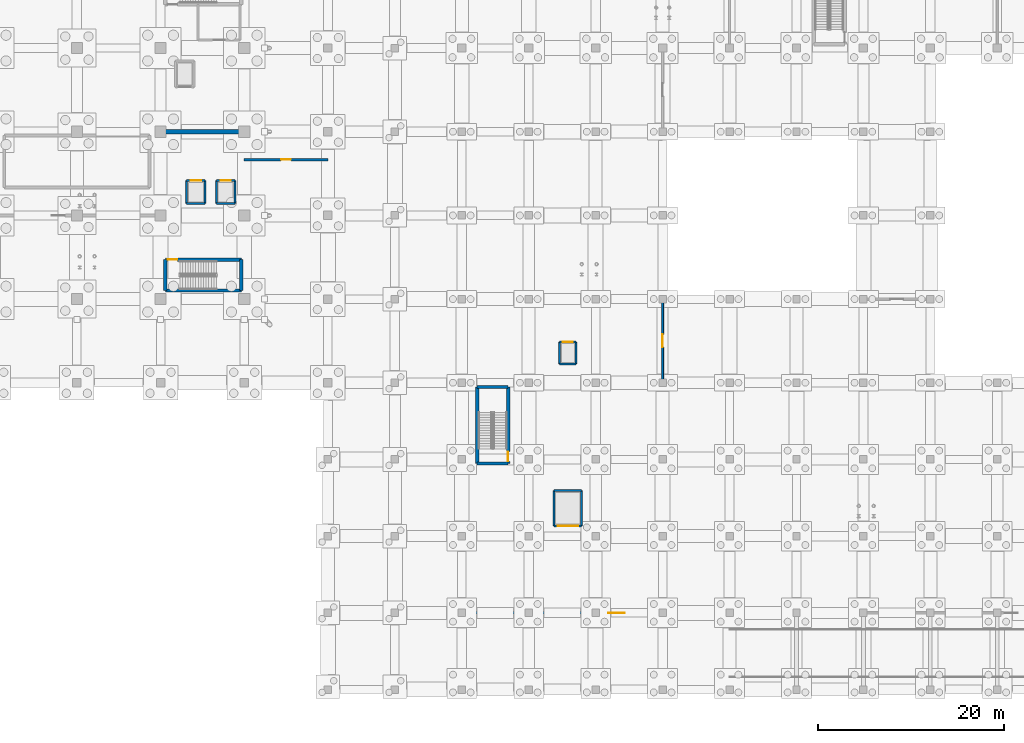
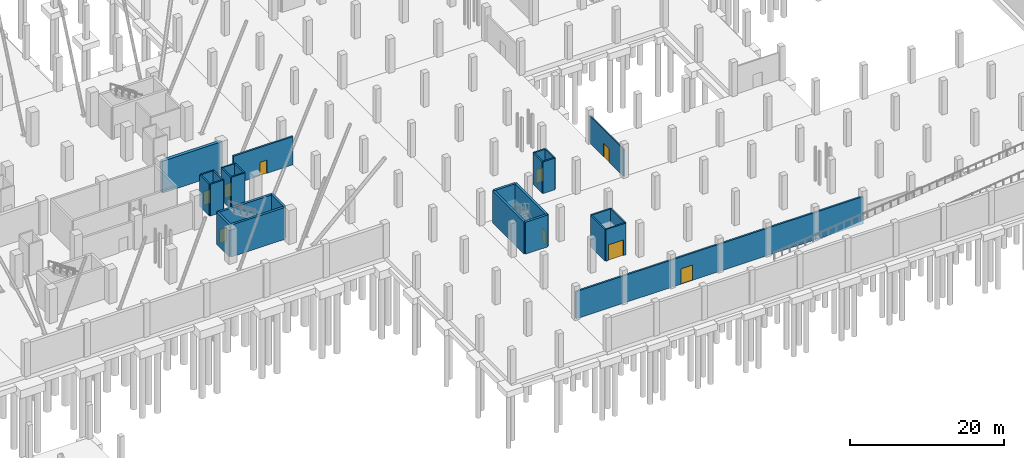
# One storey, part 26 of 42: 28 walls, 9 doors, 9 openings.
"""IFC4 building model written with IfcOpenShell, lengths in metres."""

import ifcopenshell
import ifcopenshell.guid

model = None  # the IFC model being written
_history = None  # IfcOwnerHistory: only IFC2X3 demands one
_inside = {}  # id of a spatial element -> (the spatial element, [elements in it])
_under = {}  # id of a project, library or spatial element -> (it, [spatial elements below it])
_declared = {}  # id of a project -> (the project, [libraries it declares])
_typed = {}  # id of a type object -> (the type object, [elements of that type])
_made_of = {}  # id of a material, layer set ... -> (it, [elements and type objects made of it])


def new_model(schema):
    """Start an empty IFC model of exactly this schema.

    Asked for "IFC4X3", IfcOpenShell would pick the latest addendum, in which some entities
    have other attributes; the version numbers below select the first issue.
    IFC2X3 requires an IfcOwnerHistory on every rooted entity: one is made here for all.
    """
    global model, _history
    if schema == "IFC4X3":
        model = ifcopenshell.file(schema_version=(4, 3, 0, 0))
    else:
        model = ifcopenshell.file(schema=schema)
    _inside.clear()
    _under.clear()
    _declared.clear()
    _typed.clear()
    _made_of.clear()
    _history = None
    if model.schema == "IFC2X3":
        org = make("IfcOrganization", Name="unknown")
        user = make(
            "IfcPersonAndOrganization",
            ThePerson=make("IfcPerson", FamilyName="unknown"),
            TheOrganization=org,
        )
        app = make(
            "IfcApplication",
            ApplicationDeveloper=org,
            Version="unknown",
            ApplicationFullName="unknown",
            ApplicationIdentifier="unknown",
        )
        _history = make(
            "IfcOwnerHistory",
            OwningUser=user,
            OwningApplication=app,
            ChangeAction="ADDED",
            CreationDate=0,
        )
    return model


def make(cls, **values):
    """One entity of the class cls with the attributes given. An attribute that is None is left unset."""
    return model.create_entity(
        cls, **{name: value for name, value in values.items() if value is not None}
    )


def rooted(cls, **values):
    """An entity with a GlobalId (a new one), such as an element, a storey or a relation."""
    return make(cls, GlobalId=ifcopenshell.guid.new(), OwnerHistory=_history, **values)


def si_unit(unit_type, name, prefix=None):
    """IfcSIUnit, for example si_unit("LENGTHUNIT", "METRE", prefix="MILLI")."""
    return make("IfcSIUnit", UnitType=unit_type, Prefix=prefix, Name=name)


def assignment(units):
    """IfcUnitAssignment: the units of a project."""
    return None if units is None else make("IfcUnitAssignment", Units=units)


def point(xyz):
    """IfcCartesianPoint."""
    return None if xyz is None else make("IfcCartesianPoint", Coordinates=xyz)


def direction(xyz):
    """IfcDirection."""
    return None if xyz is None else make("IfcDirection", DirectionRatios=xyz)


def frame(location, z_axis=None, x_axis=None):
    """IfcAxis2Placement3D, a coordinate frame: its origin and axes. An axis left out is left unset."""
    return make(
        "IfcAxis2Placement3D",
        Location=point(location),
        Axis=direction(z_axis),
        RefDirection=direction(x_axis),
    )


def frame_2d(location, x_axis=None):
    """IfcAxis2Placement2D, a coordinate frame in the plane: its origin and x axis."""
    return make(
        "IfcAxis2Placement2D", Location=point(location), RefDirection=direction(x_axis)
    )


def origin():
    """The frame at (0, 0, 0) with its axes left unset."""
    return frame((0.0, 0.0, 0.0))


def place(relative_to, where):
    """IfcLocalPlacement: puts the frame where relative to a parent placement (None: the world)."""
    return make(
        "IfcLocalPlacement", PlacementRelTo=relative_to, RelativePlacement=where
    )


def context(
    kind, dimensions, precision=None, world=None, true_north=None, identifier=None
):
    """IfcGeometricRepresentationContext, for example the 3D "Model" context."""
    return make(
        "IfcGeometricRepresentationContext",
        ContextIdentifier=identifier,
        ContextType=kind,
        CoordinateSpaceDimension=dimensions,
        Precision=precision,
        WorldCoordinateSystem=world,
        TrueNorth=true_north,
    )


def subcontext(parent, identifier, kind, view, scale=None):
    """IfcGeometricRepresentationSubContext, for example "Body" below "Model"."""
    return make(
        "IfcGeometricRepresentationSubContext",
        ContextIdentifier=identifier,
        ContextType=kind,
        ParentContext=parent,
        TargetScale=scale,
        TargetView=view,
    )


def project(units=None, contexts=None):
    """IfcProject with its units and contexts."""
    return rooted(
        "IfcProject",
        Name="project",
        RepresentationContexts=contexts,
        UnitsInContext=assignment(units),
    )


def spatial(cls, under=None, at=None, **own):
    """A site, building, storey or space (cls), placed at a placement, below another one or the project."""
    s = rooted(cls, ObjectPlacement=at, **own)
    if under is not None:
        _under.setdefault(under.id(), (under, []))[1].append(s)
    return s


def profile(cls, at=None, kind="AREA", **sizes):
    """A parametric profile (cls). Its sizes go by their IFC names, for example OverallWidth=200.0."""
    return make(cls, ProfileType=kind, Position=at, **sizes)


def rectangle(**sizes):
    """IfcRectangleProfileDef."""
    return profile("IfcRectangleProfileDef", **sizes)


def extrude(swept, where, along, depth):
    """IfcExtrudedAreaSolid: the profile swept, set in the frame where, extruded along a direction by depth."""
    return make(
        "IfcExtrudedAreaSolid",
        SweptArea=swept,
        Position=where,
        ExtrudedDirection=direction(along),
        Depth=depth,
    )


def shape(context_of_items, identifier, shape_type, items):
    """IfcShapeRepresentation: the items that make up one representation, for example the "Body"."""
    return make(
        "IfcShapeRepresentation",
        ContextOfItems=context_of_items,
        RepresentationIdentifier=identifier,
        RepresentationType=shape_type,
        Items=items,
    )


def material(Name=None, Category=None):
    """IfcMaterial."""
    return make("IfcMaterial", Name=Name, Category=Category)


def layer(
    of_material, thickness, ventilated=None, Name=None, Category=None, Priority=None
):
    """IfcMaterialLayer: one layer of a wall or slab, of a material (None: an air gap)."""
    return make(
        "IfcMaterialLayer",
        Material=of_material,
        LayerThickness=thickness,
        IsVentilated=ventilated,
        Name=Name,
        Category=Category,
        Priority=Priority,
    )


def layer_set(layers, Name=None):
    """IfcMaterialLayerSet."""
    return make("IfcMaterialLayerSet", MaterialLayers=layers, LayerSetName=Name)


def made_of(thing, what):
    """Note that an element or type object is made of a material, layer set ...; save() writes the relation."""
    if what is not None:
        _made_of.setdefault(what.id(), (what, []))[1].append(thing)
    return thing


def type_object(cls, material=None, **own):
    """A type object (cls), such as IfcWallType, which elements share."""
    return made_of(rooted(cls, **own), material)


def element(
    cls,
    number,
    at=None,
    inside=None,
    cuts=None,
    type_object=None,
    material=None,
    context=None,
    identifier="Body",
    shape_type=None,
    held_by="IfcProductDefinitionShape",
    body=None,
    shapes=None,
    **own,
):
    """One element of the class cls, such as IfcWall. Its Tag is "e" and its number.

    at: its placement. inside: the storey or other place that contains it. cuts: it is an
    opening in that element (IfcRelVoidsElement). A single representation is given by context,
    identifier, shape_type and body (its items); several are given by shapes. held_by: the class
    of the entity that holds the representations. save() writes the other relations.
    """
    e = rooted(cls, Tag="e%d" % number, ObjectPlacement=at, **own)
    if body is not None:
        shapes = [shape(context, identifier, shape_type, body)]
    if shapes is not None:
        e.Representation = make(held_by, Representations=shapes)
    if inside is not None:
        _inside.setdefault(inside.id(), (inside, []))[1].append(e)
    if cuts is not None:
        rooted(
            "IfcRelVoidsElement", RelatingBuildingElement=cuts, RelatedOpeningElement=e
        )
    if type_object is not None:
        _typed.setdefault(type_object.id(), (type_object, []))[1].append(e)
    return made_of(e, material)


def fill(opening, filler):
    """IfcRelFillsElement: the door or window that sits in an opening."""
    return rooted(
        "IfcRelFillsElement",
        RelatingOpeningElement=opening,
        RelatedBuildingElement=filler,
    )


def aggregate(whole, parts):
    """IfcRelAggregates: a whole, such as a stair, and the parts it consists of."""
    return rooted("IfcRelAggregates", RelatingObject=whole, RelatedObjects=parts)


def save(model, path):
    """Write the relations noted so far, then the file.

    IfcRelAggregates (storeys below a building ...), IfcRelContainedInSpatialStructure (elements
    in a storey), IfcRelDefinesByType, IfcRelAssociatesMaterial and IfcRelDeclares: one each for
    every whole, place, type object, material and project.
    """
    for whole, parts in _under.values():
        aggregate(whole, parts)
    for where, things in _inside.values():
        rooted(
            "IfcRelContainedInSpatialStructure",
            RelatedElements=things,
            RelatingStructure=where,
        )
    for kind, things in _typed.values():
        rooted("IfcRelDefinesByType", RelatedObjects=things, RelatingType=kind)
    for what, things in _made_of.values():
        rooted("IfcRelAssociatesMaterial", RelatedObjects=things, RelatingMaterial=what)
    for by, libraries in _declared.values():
        rooted("IfcRelDeclares", RelatingContext=by, RelatedDefinitions=libraries)
    model.write(path)


model = new_model("IFC4")

# Units and contexts
model_context = context("Model", 3, precision=1e-05, world=origin(), true_north=direction((0.0, 1.0)))
body_context = subcontext(model_context, "Body", "Model", "MODEL_VIEW")
ifc_project = project(units=[si_unit("LENGTHUNIT", "METRE"), si_unit("AREAUNIT", "SQUARE_METRE"), si_unit("VOLUMEUNIT", "CUBIC_METRE"), si_unit("PLANEANGLEUNIT", "RADIAN"), si_unit("MASSUNIT", "GRAM", prefix="KILO")], contexts=[model_context])

# Site, building, storey
site_placement = place(None, origin())
site = spatial("IfcSite", under=ifc_project, at=site_placement, CompositionType="ELEMENT")
building_placement = place(site_placement, origin())
building = spatial("IfcBuilding", under=site, at=building_placement, Name="Sundgate Opera House", CompositionType="ELEMENT")
storey_placement = place(building_placement, frame((0.0, 0.0, -5.39990234375)))
storey = spatial("IfcBuildingStorey", under=building, at=storey_placement, Name="B01", CompositionType="ELEMENT", Elevation=-5.39990234375)

# Wall
ifc_material_1 = material(Name="Concrete C40/50", Category="concrete")
ifc_layer_1 = layer(ifc_material_1, 0.35009765625)
ifc_layer_set_1 = layer_set([ifc_layer_1], Name="Concrete C40/50")
wall_type_1 = type_object("IfcWallType", Name="WL-CORE-350", PredefinedType="SHEAR", material=ifc_layer_set_1)
wall_1_placement = place(storey_placement, frame((63.510009765625, 42.909912109375, 0.0), z_axis=(0.0, 0.0, 1.0), x_axis=(1.0, 0.0, 0.0)))
element("IfcWall", 1, at=wall_1_placement, inside=storey, type_object=wall_type_1, Name="B01 C3 South Shaft Wall", PredefinedType="SHEAR", context=body_context, shape_type="SweptSolid", body=[
    extrude(rectangle(XDim=8.179931640625, YDim=0.35009765625, at=frame_2d((4.08984375, 0.0))), origin(), (0.0, 0.0, 1.0), 5.079833984375),
])

# Wall, opening, door
wall_2_placement = place(storey_placement, frame((63.510009765625, 46.239990234375, 0.0), z_axis=(0.0, 0.0, 1.0), x_axis=(1.0, 0.0, 0.0)))
wall_2 = element("IfcWall", 2, at=wall_2_placement, inside=storey, type_object=wall_type_1, Name="B01 C3 North Shaft Wall", PredefinedType="SHEAR", context=body_context, shape_type="SweptSolid", body=[
    extrude(rectangle(XDim=8.179931640625, YDim=0.35009765625, at=frame_2d((4.08984375, 0.0))), origin(), (0.0, 0.0, 1.0), 5.079833984375),
])
opening_1_placement = place(wall_2_placement, frame((0.239990234375, 0.0, 0.0)))
opening_1 = element("IfcOpeningElement", 3, at=opening_1_placement, cuts=wall_2, Name="Opening DI01", PredefinedType="OPENING", context=body_context, shape_type="SweptSolid", body=[
    extrude(rectangle(XDim=1.050048828125, YDim=2.179931640625, at=frame_2d((0.52490234375, 1.08984375))), frame((0.0, 0.18505859375, 0.0), z_axis=(0.0, -1.0, 0.0), x_axis=(1.0, 0.0, 0.0)), (0.0, 0.0, 1.0), 0.3701171875),
])
ifc_material_2 = material(Name="Acoustic hardwood timber and steel core", Category="steel")
door_type_1 = type_object("IfcDoorType", Name="DR-STAIR-1050x2180", OperationType="NOTDEFINED", PredefinedType="DOOR", material=ifc_material_2)
door_1_placement = place(opening_1_placement, origin())
door_1 = element("IfcDoor", 4, at=door_1_placement, inside=storey, type_object=door_type_1, Name="B01 C3 Stair Door D0048", OperationType="SINGLE_SWING_RIGHT", OverallHeight=2.179931640625, OverallWidth=1.050048828125, PredefinedType="DOOR", context=body_context, shape_type="SweptSolid", body=[
    extrude(rectangle(XDim=1.050048828125, YDim=2.179931640625, at=frame_2d((0.52490234375, 1.08984375))), frame((0.0, 0.02490234375, 0.0), z_axis=(0.0, -1.0, 0.0), x_axis=(1.0, 0.0, 0.0)), (0.0, 0.0, 1.0), 0.050048828125),
])
fill(opening_1, door_1)

# Walls
for number, where, z_axis, x_axis, name in (
    (5, (63.510009765625, 42.909912109375, 0.0), (0.0, 0.0, 1.0), (0.0, 1.0, 0.0), "B01 C3 West Shaft Wall"),
    (6, (71.68994140625, 42.909912109375, 0.0), (0.0, 0.0, 1.0), (0.0, 1.0, 0.0), "B01 C3 East Shaft Wall"),
):
    element("IfcWall", number, at=place(storey_placement, frame(where, z_axis=z_axis, x_axis=x_axis)), inside=storey, type_object=wall_type_1, Name=name, PredefinedType="SHEAR", context=body_context, shape_type="SweptSolid", body=[
        extrude(rectangle(XDim=3.330078125, YDim=0.35009765625, at=frame_2d((1.6650390625, 0.0))), origin(), (0.0, 0.0, 1.0), 5.079833984375),
    ])
for number, where, z_axis, x_axis, name in (
    (7, (97.06005859375, 24.31005859375, 0.0), (0.0, 0.0, 1.0), (1.0, 0.0, 0.0), "B01 C7 South Shaft Wall"),
    (8, (97.06005859375, 32.5400390625, 0.0), (0.0, 0.0, 1.0), (1.0, 0.0, 0.0), "B01 C7 North Shaft Wall"),
):
    element("IfcWall", number, at=place(storey_placement, frame(where, z_axis=z_axis, x_axis=x_axis)), inside=storey, type_object=wall_type_1, Name=name, PredefinedType="SHEAR", context=body_context, shape_type="SweptSolid", body=[
        extrude(rectangle(XDim=3.329833984375, YDim=0.35009765625, at=frame_2d((1.6650390625, 0.0))), origin(), (0.0, 0.0, 1.0), 5.079833984375),
    ])
wall_3_placement = place(storey_placement, frame((97.06005859375, 24.31005859375, 0.0), z_axis=(0.0, 0.0, 1.0), x_axis=(0.0, 1.0, 0.0)))
element("IfcWall", 9, at=wall_3_placement, inside=storey, type_object=wall_type_1, Name="B01 C7 West Shaft Wall", PredefinedType="SHEAR", context=body_context, shape_type="SweptSolid", body=[
    extrude(rectangle(XDim=8.22998046875, YDim=0.35009765625, at=frame_2d((4.114990234375, 0.0))), origin(), (0.0, 0.0, 1.0), 5.079833984375),
])

# Wall, opening, door
wall_4_placement = place(storey_placement, frame((100.389892578125, 24.31005859375, 0.0), z_axis=(0.0, 0.0, 1.0), x_axis=(0.0, 1.0, 0.0)))
wall_4 = element("IfcWall", 10, at=wall_4_placement, inside=storey, type_object=wall_type_1, Name="B01 C7 East Shaft Wall", PredefinedType="SHEAR", context=body_context, shape_type="SweptSolid", body=[
    extrude(rectangle(XDim=8.22998046875, YDim=0.35009765625, at=frame_2d((4.114990234375, 0.0))), origin(), (0.0, 0.0, 1.0), 5.079833984375),
])
opening_2_placement = place(wall_4_placement, frame((0.239990234375, 0.0, 0.0)))
opening_2 = element("IfcOpeningElement", 11, at=opening_2_placement, cuts=wall_4, Name="Opening DI01", PredefinedType="OPENING", context=body_context, shape_type="SweptSolid", body=[
    extrude(rectangle(XDim=1.050048828125, YDim=2.179931640625, at=frame_2d((0.52490234375, 1.08984375))), frame((0.0, 0.18505859375, 0.0), z_axis=(0.0, -1.0, 0.0), x_axis=(1.0, 0.0, 0.0)), (0.0, 0.0, 1.0), 0.3701171875),
])
door_2_placement = place(opening_2_placement, origin())
door_2 = element("IfcDoor", 12, at=door_2_placement, inside=storey, type_object=door_type_1, Name="B01 C7 Stair Door D0083", OperationType="SINGLE_SWING_LEFT", OverallHeight=2.179931640625, OverallWidth=1.050048828125, PredefinedType="DOOR", context=body_context, shape_type="SweptSolid", body=[
    extrude(rectangle(XDim=1.050048828125, YDim=2.179931640625, at=frame_2d((0.52490234375, 1.08984375))), frame((0.0, 0.02490234375, 0.0), z_axis=(0.0, -1.0, 0.0), x_axis=(1.0, 0.0, 0.0)), (0.0, 0.0, 1.0), 0.050048828125),
])
fill(opening_2, door_2)

ifc_material_3 = material(Name="Acoustic masonry partition wall", Category="masonry")
ifc_layer_2 = layer(ifc_material_3, 0.260009765625)
ifc_layer_set_2 = layer_set([ifc_layer_2], Name="Acoustic masonry partition wall")
wall_type_2 = type_object("IfcWallType", Name="WL-INT-ACOUST-260", PredefinedType="PARTITIONING", material=ifc_layer_set_2)
wall_5_placement = place(storey_placement, frame((72.0, 57.0, 0.0), z_axis=(0.0, 0.0, 1.0), x_axis=(1.0, 0.0, 0.0)))
wall_5 = element("IfcWall", 13, at=wall_5_placement, inside=storey, type_object=wall_type_2, Name="B01 Interior Partition W0973", PredefinedType="PARTITIONING", context=body_context, shape_type="SweptSolid", body=[
    extrude(rectangle(XDim=9.0, YDim=0.260009765625, at=frame_2d((4.5, 0.0))), origin(), (0.0, 0.0, 1.0), 4.494873046875),
])
opening_3_placement = place(wall_5_placement, frame((3.97509765625, 0.0, 0.0)))
opening_3 = element("IfcOpeningElement", 14, at=opening_3_placement, cuts=wall_5, Name="Opening DI08", PredefinedType="OPENING", context=body_context, shape_type="SweptSolid", body=[
    extrude(rectangle(XDim=1.050048828125, YDim=2.1201171875, at=frame_2d((0.52490234375, 1.06005859375))), frame((0.0, 0.139892578125, 0.0), z_axis=(0.0, -1.0, 0.0), x_axis=(1.0, 0.0, 0.0)), (0.0, 0.0, 1.0), 0.280029296875),
])
ifc_material_4 = material(Name="Acoustic hardwood timber and steel core", Category="steel")
door_type_2 = type_object("IfcDoorType", Name="DR-ROOM-1050x2120", OperationType="NOTDEFINED", PredefinedType="DOOR", material=ifc_material_4)
door_3_placement = place(opening_3_placement, origin())
door_3 = element("IfcDoor", 15, at=door_3_placement, inside=storey, type_object=door_type_2, Name="B01 Interior Door D0161", OperationType="SINGLE_SWING_RIGHT", OverallHeight=2.1201171875, OverallWidth=1.050048828125, PredefinedType="DOOR", context=body_context, shape_type="SweptSolid", body=[
    extrude(rectangle(XDim=1.050048828125, YDim=2.1201171875, at=frame_2d((0.52490234375, 1.06005859375))), frame((0.0, 0.02490234375, 0.0), z_axis=(0.0, -1.0, 0.0), x_axis=(1.0, 0.0, 0.0)), (0.0, 0.0, 1.0), 0.050048828125),
])
fill(opening_3, door_3)

wall_6_placement = place(storey_placement, frame((95.39990234375, 8.25, 0.0), z_axis=(0.0, 0.0, 1.0), x_axis=(1.0, 0.0, 0.0)))
wall_6 = element("IfcWall", 16, at=wall_6_placement, inside=storey, type_object=wall_type_2, Name="B01 Interior Partition W0977", PredefinedType="PARTITIONING", context=body_context, shape_type="SweptSolid", body=[
    extrude(rectangle(XDim=43.2001953125, YDim=0.260009765625, at=frame_2d((21.60009765625, 0.0))), origin(), (0.0, 0.0, 1.0), 4.344970703125),
])
opening_4_placement = place(wall_6_placement, frame((15.73193359375, 0.0, 0.0)))
opening_4 = element("IfcOpeningElement", 17, at=opening_4_placement, cuts=wall_6, Name="Opening DI15", PredefinedType="OPENING", context=body_context, shape_type="SweptSolid", body=[
    extrude(rectangle(XDim=1.800048828125, YDim=2.449951171875, at=frame_2d((0.89990234375, 1.22509765625))), frame((0.0, 0.139892578125, 0.0), z_axis=(0.0, -1.0, 0.0), x_axis=(1.0, 0.0, 0.0)), (0.0, 0.0, 1.0), 0.280029296875),
])
ifc_material_5 = material(Name="Acoustic hardwood timber and steel core", Category="steel")
door_type_3 = type_object("IfcDoorType", Name="DR-WORK-1800x2450", OperationType="DOUBLE_DOOR_SINGLE_SWING", PredefinedType="DOOR", material=ifc_material_5)
door_4_placement = place(opening_4_placement, origin())
door_4 = element("IfcDoor", 18, at=door_4_placement, inside=storey, type_object=door_type_3, Name="B01 Interior Door D0165", OperationType="DOUBLE_DOOR_SINGLE_SWING", OverallHeight=2.449951171875, OverallWidth=1.800048828125, PredefinedType="DOOR", context=body_context, shape_type="SweptSolid", body=[
    extrude(rectangle(XDim=1.800048828125, YDim=2.449951171875, at=frame_2d((0.89990234375, 1.22509765625))), frame((0.0, 0.02490234375, 0.0), z_axis=(0.0, -1.0, 0.0), x_axis=(1.0, 0.0, 0.0)), (0.0, 0.0, 1.0), 0.050048828125),
])
fill(opening_4, door_4)

ifc_material_6 = material(Name="Fire-rated corridor partition", Category="gypsum")
ifc_layer_3 = layer(ifc_material_6, 0.199951171875)
ifc_layer_set_3 = layer_set([ifc_layer_3], Name="Fire-rated corridor partition")
wall_type_3 = type_object("IfcWallType", Name="WL-INT-FIRE-200", PredefinedType="PARTITIONING", material=ifc_layer_set_3)
wall_7_placement = place(storey_placement, frame((117.0, 33.0, 0.0), z_axis=(0.0, 0.0, 1.0), x_axis=(0.0, 1.0, 0.0)))
wall_7 = element("IfcWall", 19, at=wall_7_placement, inside=storey, type_object=wall_type_3, Name="B01 Interior Partition W0974", PredefinedType="PARTITIONING", context=body_context, shape_type="SweptSolid", body=[
    extrude(rectangle(XDim=9.0, YDim=0.199951171875, at=frame_2d((4.5, 0.0))), origin(), (0.0, 0.0, 1.0), 4.344970703125),
])
opening_5_placement = place(wall_7_placement, frame((3.800048828125, 0.0, 0.0)))
opening_5 = element("IfcOpeningElement", 20, at=opening_5_placement, cuts=wall_7, Name="Opening DI09", PredefinedType="OPENING", context=body_context, shape_type="SweptSolid", body=[
    extrude(rectangle(XDim=1.39990234375, YDim=2.179931640625, at=frame_2d((0.699951171875, 1.08984375))), frame((0.0, 0.10986328125, 0.0), z_axis=(0.0, -1.0, 0.0), x_axis=(1.0, 0.0, 0.0)), (0.0, 0.0, 1.0), 0.219970703125),
])
ifc_material_7 = material(Name="Acoustic hardwood timber and steel core", Category="steel")
door_type_4 = type_object("IfcDoorType", Name="DR-PLANT-1400x2180", OperationType="DOUBLE_DOOR_SINGLE_SWING", PredefinedType="DOOR", material=ifc_material_7)
door_5_placement = place(opening_5_placement, origin())
door_5 = element("IfcDoor", 21, at=door_5_placement, inside=storey, type_object=door_type_4, Name="B01 Interior Door D0162", OperationType="DOUBLE_DOOR_SINGLE_SWING", OverallHeight=2.179931640625, OverallWidth=1.39990234375, PredefinedType="DOOR", context=body_context, shape_type="SweptSolid", body=[
    extrude(rectangle(XDim=1.39990234375, YDim=2.179931640625, at=frame_2d((0.699951171875, 1.08984375))), frame((0.0, 0.02490234375, 0.0), z_axis=(0.0, -1.0, 0.0), x_axis=(1.0, 0.0, 0.0)), (0.0, 0.0, 1.0), 0.050048828125),
])
fill(opening_5, door_5)

# Wall
ifc_material_8 = material(Name="Fire-rated gypsum and mineral-wool shaft partition", Category="gypsum")
ifc_layer_4 = layer(ifc_material_8, 0.219970703125)
ifc_layer_set_4 = layer_set([ifc_layer_4], Name="Fire-rated gypsum and mineral-wool shaft partition")
wall_type_4 = type_object("IfcWallType", Name="WL-INT-FIRE-220", PredefinedType="PARTITIONING", material=ifc_layer_set_4)
wall_8_placement = place(storey_placement, frame((65.81005859375, 52.260009765625, 0.0), z_axis=(0.0, 0.0, 1.0), x_axis=(1.0, 0.0, 0.0)))
element("IfcWall", 22, at=wall_8_placement, inside=storey, type_object=wall_type_4, Name="B01 LF-01 South Shaft Wall", PredefinedType="PARTITIONING", context=body_context, shape_type="SweptSolid", body=[
    extrude(rectangle(XDim=1.97998046875, YDim=0.219970703125, at=frame_2d((0.989990234375, 0.0))), origin(), (0.0, 0.0, 1.0), 5.044921875),
])

# Wall, opening, door
wall_9_placement = place(storey_placement, frame((65.81005859375, 54.739990234375, 0.0), z_axis=(0.0, 0.0, 1.0), x_axis=(1.0, 0.0, 0.0)))
wall_9 = element("IfcWall", 23, at=wall_9_placement, inside=storey, type_object=wall_type_4, Name="B01 LF-01 North Shaft Wall", PredefinedType="PARTITIONING", context=body_context, shape_type="SweptSolid", body=[
    extrude(rectangle(XDim=1.97998046875, YDim=0.219970703125, at=frame_2d((0.989990234375, 0.0))), origin(), (0.0, 0.0, 1.0), 5.044921875),
])
opening_6_placement = place(wall_9_placement, frame((0.43994140625, 0.0, 0.0)))
opening_6 = element("IfcOpeningElement", 24, at=opening_6_placement, cuts=wall_9, Name="Opening LD1", PredefinedType="OPENING", context=body_context, shape_type="SweptSolid", body=[
    extrude(rectangle(XDim=1.10009765625, YDim=2.179931640625, at=frame_2d((0.550048828125, 1.08984375))), frame((0.0, 0.119873046875, 0.0), z_axis=(0.0, -1.0, 0.0), x_axis=(1.0, 0.0, 0.0)), (0.0, 0.0, 1.0), 0.239990234375),
])
ifc_material_9 = material(Name="Brushed stainless steel EN 1.4301", Category="steel")
door_type_5 = type_object("IfcDoorType", Name="DR-LIFT-1100x2180", OperationType="DOUBLE_DOOR_SLIDING", PredefinedType="DOOR", material=ifc_material_9)
door_6_placement = place(opening_6_placement, origin())
door_6 = element("IfcDoor", 25, at=door_6_placement, inside=storey, type_object=door_type_5, Name="B01 LF-01 Landing Door D0092", OperationType="DOUBLE_DOOR_SLIDING", OverallHeight=2.179931640625, OverallWidth=1.10009765625, PredefinedType="DOOR", context=body_context, shape_type="SweptSolid", body=[
    extrude(rectangle(XDim=1.10009765625, YDim=2.179931640625, at=frame_2d((0.550048828125, 1.08984375))), frame((0.0, 0.02490234375, 0.0), z_axis=(0.0, -1.0, 0.0), x_axis=(1.0, 0.0, 0.0)), (0.0, 0.0, 1.0), 0.050048828125),
])
fill(opening_6, door_6)

# Walls
for number, where, z_axis, x_axis, name in (
    (26, (65.81005859375, 52.260009765625, 0.0), (0.0, 0.0, 1.0), (0.0, 1.0, 0.0), "B01 LF-01 West Shaft Wall"),
    (27, (67.7900390625, 52.260009765625, 0.0), (0.0, 0.0, 1.0), (0.0, 1.0, 0.0), "B01 LF-01 East Shaft Wall"),
):
    element("IfcWall", number, at=place(storey_placement, frame(where, z_axis=z_axis, x_axis=x_axis)), inside=storey, type_object=wall_type_4, Name=name, PredefinedType="PARTITIONING", context=body_context, shape_type="SweptSolid", body=[
        extrude(rectangle(XDim=2.47998046875, YDim=0.219970703125, at=frame_2d((1.239990234375, 0.0))), origin(), (0.0, 0.0, 1.0), 5.044921875),
    ])
wall_10_placement = place(storey_placement, frame((69.010009765625, 52.260009765625, 0.0), z_axis=(0.0, 0.0, 1.0), x_axis=(1.0, 0.0, 0.0)))
element("IfcWall", 28, at=wall_10_placement, inside=storey, type_object=wall_type_4, Name="B01 LF-02 South Shaft Wall", PredefinedType="PARTITIONING", context=body_context, shape_type="SweptSolid", body=[
    extrude(rectangle(XDim=1.97998046875, YDim=0.219970703125, at=frame_2d((0.989990234375, 0.0))), origin(), (0.0, 0.0, 1.0), 5.044921875),
])

# Wall, opening, door
wall_11_placement = place(storey_placement, frame((69.010009765625, 54.739990234375, 0.0), z_axis=(0.0, 0.0, 1.0), x_axis=(1.0, 0.0, 0.0)))
wall_11 = element("IfcWall", 29, at=wall_11_placement, inside=storey, type_object=wall_type_4, Name="B01 LF-02 North Shaft Wall", PredefinedType="PARTITIONING", context=body_context, shape_type="SweptSolid", body=[
    extrude(rectangle(XDim=1.97998046875, YDim=0.219970703125, at=frame_2d((0.989990234375, 0.0))), origin(), (0.0, 0.0, 1.0), 5.044921875),
])
opening_7_placement = place(wall_11_placement, frame((0.43994140625, 0.0, 0.0)))
opening_7 = element("IfcOpeningElement", 30, at=opening_7_placement, cuts=wall_11, Name="Opening LD1", PredefinedType="OPENING", context=body_context, shape_type="SweptSolid", body=[
    extrude(rectangle(XDim=1.10009765625, YDim=2.179931640625, at=frame_2d((0.550048828125, 1.08984375))), frame((0.0, 0.119873046875, 0.0), z_axis=(0.0, -1.0, 0.0), x_axis=(1.0, 0.0, 0.0)), (0.0, 0.0, 1.0), 0.239990234375),
])
door_7_placement = place(opening_7_placement, origin())
door_7 = element("IfcDoor", 31, at=door_7_placement, inside=storey, type_object=door_type_5, Name="B01 LF-02 Landing Door D0099", OperationType="DOUBLE_DOOR_SLIDING", OverallHeight=2.179931640625, OverallWidth=1.10009765625, PredefinedType="DOOR", context=body_context, shape_type="SweptSolid", body=[
    extrude(rectangle(XDim=1.10009765625, YDim=2.179931640625, at=frame_2d((0.550048828125, 1.08984375))), frame((0.0, 0.02490234375, 0.0), z_axis=(0.0, -1.0, 0.0), x_axis=(1.0, 0.0, 0.0)), (0.0, 0.0, 1.0), 0.050048828125),
])
fill(opening_7, door_7)

# Walls
for number, where, z_axis, x_axis, name in (
    (32, (69.010009765625, 52.260009765625, 0.0), (0.0, 0.0, 1.0), (0.0, 1.0, 0.0), "B01 LF-02 West Shaft Wall"),
    (33, (70.989990234375, 52.260009765625, 0.0), (0.0, 0.0, 1.0), (0.0, 1.0, 0.0), "B01 LF-02 East Shaft Wall"),
):
    element("IfcWall", number, at=place(storey_placement, frame(where, z_axis=z_axis, x_axis=x_axis)), inside=storey, type_object=wall_type_4, Name=name, PredefinedType="PARTITIONING", context=body_context, shape_type="SweptSolid", body=[
        extrude(rectangle(XDim=2.47998046875, YDim=0.219970703125, at=frame_2d((1.239990234375, 0.0))), origin(), (0.0, 0.0, 1.0), 5.044921875),
    ])
wall_12_placement = place(storey_placement, frame((105.909912109375, 35.010009765625, 0.0), z_axis=(0.0, 0.0, 1.0), x_axis=(1.0, 0.0, 0.0)))
element("IfcWall", 34, at=wall_12_placement, inside=storey, type_object=wall_type_4, Name="B01 LF-05 South Shaft Wall", PredefinedType="PARTITIONING", context=body_context, shape_type="SweptSolid", body=[
    extrude(rectangle(XDim=1.780029296875, YDim=0.219970703125, at=frame_2d((0.89013671875, 0.0))), origin(), (0.0, 0.0, 1.0), 5.044921875),
])

# Wall, opening, door
wall_13_placement = place(storey_placement, frame((105.909912109375, 37.389892578125, 0.0), z_axis=(0.0, 0.0, 1.0), x_axis=(1.0, 0.0, 0.0)))
wall_13 = element("IfcWall", 35, at=wall_13_placement, inside=storey, type_object=wall_type_4, Name="B01 LF-05 North Shaft Wall", PredefinedType="PARTITIONING", context=body_context, shape_type="SweptSolid", body=[
    extrude(rectangle(XDim=1.780029296875, YDim=0.219970703125, at=frame_2d((0.89013671875, 0.0))), origin(), (0.0, 0.0, 1.0), 5.044921875),
])
opening_8_placement = place(wall_13_placement, frame((0.340087890625, 0.0, 0.0)))
opening_8 = element("IfcOpeningElement", 36, at=opening_8_placement, cuts=wall_13, Name="Opening LD1", PredefinedType="OPENING", context=body_context, shape_type="SweptSolid", body=[
    extrude(rectangle(XDim=1.10009765625, YDim=2.179931640625, at=frame_2d((0.550048828125, 1.08984375))), frame((0.0, 0.119873046875, 0.0), z_axis=(0.0, -1.0, 0.0), x_axis=(1.0, 0.0, 0.0)), (0.0, 0.0, 1.0), 0.239990234375),
])
door_8_placement = place(opening_8_placement, origin())
door_8 = element("IfcDoor", 37, at=door_8_placement, inside=storey, type_object=door_type_5, Name="B01 LF-05 Landing Door D0119", OperationType="DOUBLE_DOOR_SLIDING", OverallHeight=2.179931640625, OverallWidth=1.10009765625, PredefinedType="DOOR", context=body_context, shape_type="SweptSolid", body=[
    extrude(rectangle(XDim=1.10009765625, YDim=2.179931640625, at=frame_2d((0.550048828125, 1.08984375))), frame((0.0, 0.02490234375, 0.0), z_axis=(0.0, -1.0, 0.0), x_axis=(1.0, 0.0, 0.0)), (0.0, 0.0, 1.0), 0.050048828125),
])
fill(opening_8, door_8)

# Walls
for number, where, z_axis, x_axis, name in (
    (38, (105.909912109375, 35.010009765625, 0.0), (0.0, 0.0, 1.0), (0.0, 1.0, 0.0), "B01 LF-05 West Shaft Wall"),
    (39, (107.68994140625, 35.010009765625, 0.0), (0.0, 0.0, 1.0), (0.0, 1.0, 0.0), "B01 LF-05 East Shaft Wall"),
):
    element("IfcWall", number, at=place(storey_placement, frame(where, z_axis=z_axis, x_axis=x_axis)), inside=storey, type_object=wall_type_4, Name=name, PredefinedType="PARTITIONING", context=body_context, shape_type="SweptSolid", body=[
        extrude(rectangle(XDim=2.3798828125, YDim=0.219970703125, at=frame_2d((1.18994140625, 0.0))), origin(), (0.0, 0.0, 1.0), 5.044921875),
    ])

# Wall, opening, door
wall_14_placement = place(storey_placement, frame((105.31005859375, 17.610107421875, 0.0), z_axis=(0.0, 0.0, 1.0), x_axis=(1.0, 0.0, 0.0)))
wall_14 = element("IfcWall", 40, at=wall_14_placement, inside=storey, type_object=wall_type_4, Name="B01 GL-02 South Shaft Wall", PredefinedType="PARTITIONING", context=body_context, shape_type="SweptSolid", body=[
    extrude(rectangle(XDim=2.97998046875, YDim=0.219970703125, at=frame_2d((1.489990234375, 0.0))), origin(), (0.0, 0.0, 1.0), 5.044921875),
])
opening_9_placement = place(wall_14_placement, frame((0.389892578125, 0.0, 0.0)))
opening_9 = element("IfcOpeningElement", 41, at=opening_9_placement, cuts=wall_14, Name="Opening LD3", PredefinedType="OPENING", context=body_context, shape_type="SweptSolid", body=[
    extrude(rectangle(XDim=2.199951171875, YDim=2.5, at=frame_2d((1.10009765625, 1.25))), frame((0.0, 0.119873046875, 0.0), z_axis=(0.0, -1.0, 0.0), x_axis=(1.0, 0.0, 0.0)), (0.0, 0.0, 1.0), 0.239990234375),
])
ifc_material_10 = material(Name="Brushed stainless steel EN 1.4301", Category="steel")
door_type_6 = type_object("IfcDoorType", Name="DR-LIFT-2200x2500", OperationType="DOUBLE_DOOR_SLIDING", PredefinedType="DOOR", material=ifc_material_10)
door_9_placement = place(opening_9_placement, origin())
door_9 = element("IfcDoor", 42, at=door_9_placement, inside=storey, type_object=door_type_6, Name="B01 GL-02 Landing Door D0149", OperationType="DOUBLE_DOOR_SLIDING", OverallHeight=2.5, OverallWidth=2.199951171875, PredefinedType="DOOR", context=body_context, shape_type="SweptSolid", body=[
    extrude(rectangle(XDim=2.199951171875, YDim=2.5, at=frame_2d((1.10009765625, 1.25))), frame((0.0, 0.02490234375, 0.0), z_axis=(0.0, -1.0, 0.0), x_axis=(1.0, 0.0, 0.0)), (0.0, 0.0, 1.0), 0.050048828125),
])
fill(opening_9, door_9)

# Walls
wall_15_placement = place(storey_placement, frame((105.31005859375, 21.389892578125, 0.0), z_axis=(0.0, 0.0, 1.0), x_axis=(1.0, 0.0, 0.0)))
element("IfcWall", 43, at=wall_15_placement, inside=storey, type_object=wall_type_4, Name="B01 GL-02 North Shaft Wall", PredefinedType="PARTITIONING", context=body_context, shape_type="SweptSolid", body=[
    extrude(rectangle(XDim=2.97998046875, YDim=0.219970703125, at=frame_2d((1.489990234375, 0.0))), origin(), (0.0, 0.0, 1.0), 5.044921875),
])
for number, where, z_axis, x_axis, name in (
    (44, (105.31005859375, 17.610107421875, 0.0), (0.0, 0.0, 1.0), (0.0, 1.0, 0.0), "B01 GL-02 West Shaft Wall"),
    (45, (108.2900390625, 17.610107421875, 0.0), (0.0, 0.0, 1.0), (0.0, 1.0, 0.0), "B01 GL-02 East Shaft Wall"),
):
    element("IfcWall", number, at=place(storey_placement, frame(where, z_axis=z_axis, x_axis=x_axis)), inside=storey, type_object=wall_type_4, Name=name, PredefinedType="PARTITIONING", context=body_context, shape_type="SweptSolid", body=[
        extrude(rectangle(XDim=3.77978515625, YDim=0.219970703125, at=frame_2d((1.889892578125, 0.0))), origin(), (0.0, 0.0, 1.0), 5.044921875),
    ])
ifc_material_11 = material(Name="Concrete C40/50", Category="concrete")
ifc_layer_5 = layer(ifc_material_11, 0.47998046875)
ifc_layer_set_5 = layer_set([ifc_layer_5], Name="Concrete C40/50")
wall_type_5 = type_object("IfcWallType", Name="WL-PROS-480", PredefinedType="SHEAR", material=ifc_layer_set_5)
wall_16_placement = place(storey_placement, frame((63.0, 60.0, 0.0), z_axis=(0.0, 0.0, 1.0), x_axis=(1.0, 0.0, 0.0)))
element("IfcWall", 46, at=wall_16_placement, inside=storey, type_object=wall_type_5, Name="B01 Proscenium Shear Wall W0009", PredefinedType="SHEAR", context=body_context, shape_type="SweptSolid", body=[
    extrude(rectangle(XDim=9.0, YDim=0.47998046875, at=frame_2d((4.5, 0.0))), origin(), (0.0, 0.0, 1.0), 5.079833984375),
])

save(model, "model.ifc")
